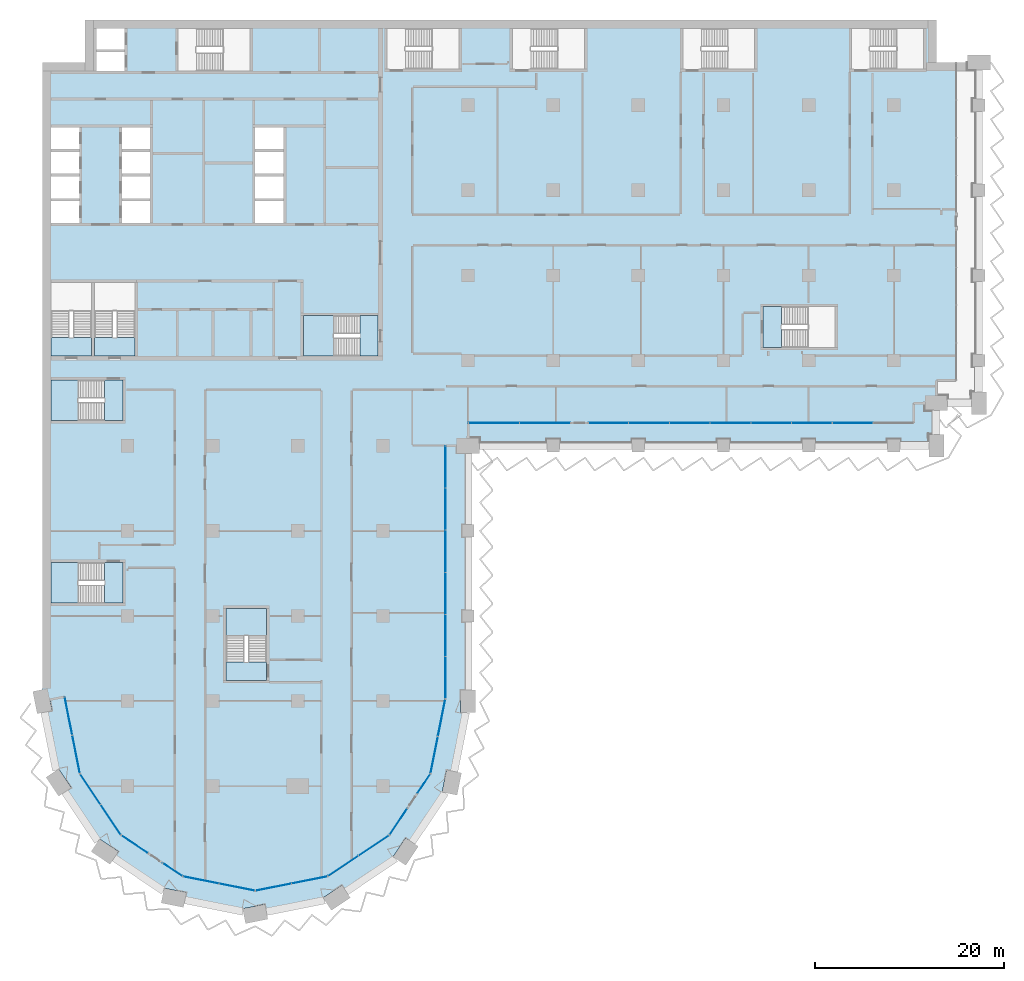
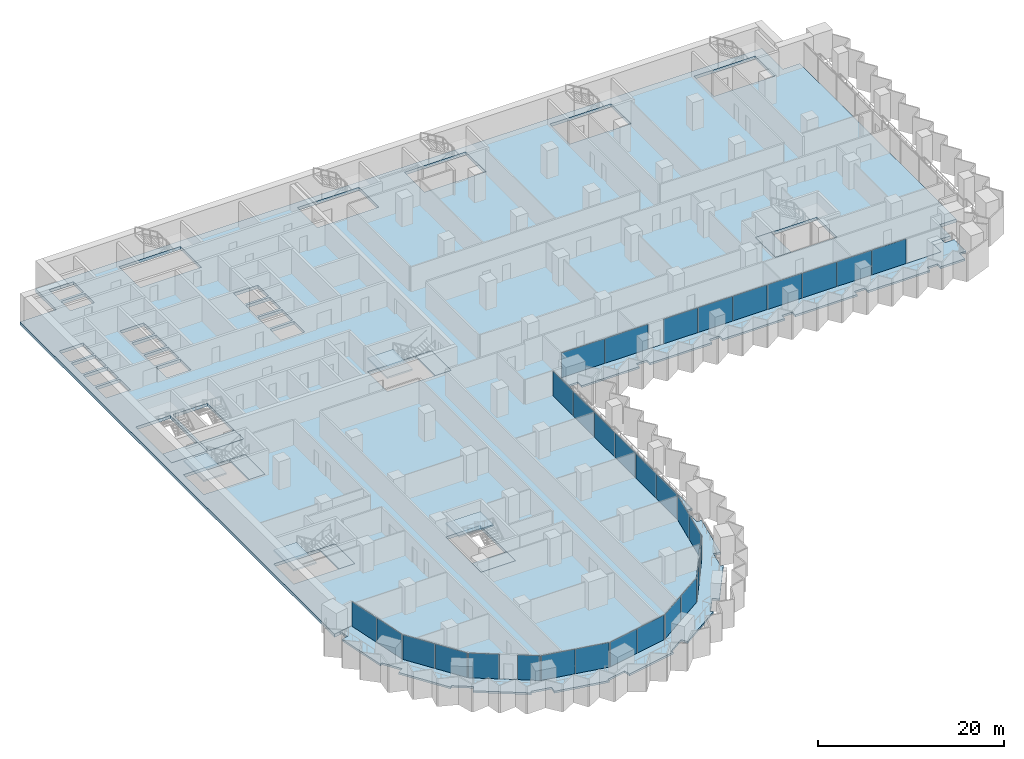
# One storey, part 8 of 29: 31 plates, 14 slabs, 17 elements without a shape of their own.
"""IFC4 building model written with IfcOpenShell, lengths in metres."""

import ifcopenshell
import ifcopenshell.guid

model = None  # the IFC model being written
_history = None  # IfcOwnerHistory: only IFC2X3 demands one
_inside = {}  # id of a spatial element -> (the spatial element, [elements in it])
_under = {}  # id of a project, library or spatial element -> (it, [spatial elements below it])
_declared = {}  # id of a project -> (the project, [libraries it declares])
_typed = {}  # id of a type object -> (the type object, [elements of that type])
_made_of = {}  # id of a material, layer set ... -> (it, [elements and type objects made of it])


def new_model(schema):
    """Start an empty IFC model of exactly this schema.

    Asked for "IFC4X3", IfcOpenShell would pick the latest addendum, in which some entities
    have other attributes; the version numbers below select the first issue.
    IFC2X3 requires an IfcOwnerHistory on every rooted entity: one is made here for all.
    """
    global model, _history
    if schema == "IFC4X3":
        model = ifcopenshell.file(schema_version=(4, 3, 0, 0))
    else:
        model = ifcopenshell.file(schema=schema)
    _inside.clear()
    _under.clear()
    _declared.clear()
    _typed.clear()
    _made_of.clear()
    _history = None
    if model.schema == "IFC2X3":
        org = make("IfcOrganization", Name="unknown")
        user = make(
            "IfcPersonAndOrganization",
            ThePerson=make("IfcPerson", FamilyName="unknown"),
            TheOrganization=org,
        )
        app = make(
            "IfcApplication",
            ApplicationDeveloper=org,
            Version="unknown",
            ApplicationFullName="unknown",
            ApplicationIdentifier="unknown",
        )
        _history = make(
            "IfcOwnerHistory",
            OwningUser=user,
            OwningApplication=app,
            ChangeAction="ADDED",
            CreationDate=0,
        )
    return model


def make(cls, **values):
    """One entity of the class cls with the attributes given. An attribute that is None is left unset."""
    return model.create_entity(
        cls, **{name: value for name, value in values.items() if value is not None}
    )


def rooted(cls, **values):
    """An entity with a GlobalId (a new one), such as an element, a storey or a relation."""
    return make(cls, GlobalId=ifcopenshell.guid.new(), OwnerHistory=_history, **values)


def si_unit(unit_type, name, prefix=None):
    """IfcSIUnit, for example si_unit("LENGTHUNIT", "METRE", prefix="MILLI")."""
    return make("IfcSIUnit", UnitType=unit_type, Prefix=prefix, Name=name)


def assignment(units):
    """IfcUnitAssignment: the units of a project."""
    return None if units is None else make("IfcUnitAssignment", Units=units)


def point(xyz):
    """IfcCartesianPoint."""
    return None if xyz is None else make("IfcCartesianPoint", Coordinates=xyz)


def direction(xyz):
    """IfcDirection."""
    return None if xyz is None else make("IfcDirection", DirectionRatios=xyz)


def frame(location, z_axis=None, x_axis=None):
    """IfcAxis2Placement3D, a coordinate frame: its origin and axes. An axis left out is left unset."""
    return make(
        "IfcAxis2Placement3D",
        Location=point(location),
        Axis=direction(z_axis),
        RefDirection=direction(x_axis),
    )


def frame_2d(location, x_axis=None):
    """IfcAxis2Placement2D, a coordinate frame in the plane: its origin and x axis."""
    return make(
        "IfcAxis2Placement2D", Location=point(location), RefDirection=direction(x_axis)
    )


def origin():
    """The frame at (0, 0, 0) with its axes left unset."""
    return frame((0.0, 0.0, 0.0))


def origin_2d():
    """The frame at (0, 0) in the plane with its x axis left unset."""
    return frame_2d((0.0, 0.0))


def place(relative_to, where):
    """IfcLocalPlacement: puts the frame where relative to a parent placement (None: the world)."""
    return make(
        "IfcLocalPlacement", PlacementRelTo=relative_to, RelativePlacement=where
    )


def context(
    kind, dimensions, precision=None, world=None, true_north=None, identifier=None
):
    """IfcGeometricRepresentationContext, for example the 3D "Model" context."""
    return make(
        "IfcGeometricRepresentationContext",
        ContextIdentifier=identifier,
        ContextType=kind,
        CoordinateSpaceDimension=dimensions,
        Precision=precision,
        WorldCoordinateSystem=world,
        TrueNorth=true_north,
    )


def subcontext(parent, identifier, kind, view, scale=None):
    """IfcGeometricRepresentationSubContext, for example "Body" below "Model"."""
    return make(
        "IfcGeometricRepresentationSubContext",
        ContextIdentifier=identifier,
        ContextType=kind,
        ParentContext=parent,
        TargetScale=scale,
        TargetView=view,
    )


def project(units=None, contexts=None):
    """IfcProject with its units and contexts."""
    return rooted(
        "IfcProject",
        Name="project",
        RepresentationContexts=contexts,
        UnitsInContext=assignment(units),
    )


def spatial(cls, under=None, at=None, **own):
    """A site, building, storey or space (cls), placed at a placement, below another one or the project."""
    s = rooted(cls, ObjectPlacement=at, **own)
    if under is not None:
        _under.setdefault(under.id(), (under, []))[1].append(s)
    return s


def polyline(points):
    """IfcPolyline through the points."""
    return make("IfcPolyline", Points=[point(p) for p in points])


def profile(cls, at=None, kind="AREA", **sizes):
    """A parametric profile (cls). Its sizes go by their IFC names, for example OverallWidth=200.0."""
    return make(cls, ProfileType=kind, Position=at, **sizes)


def rectangle(**sizes):
    """IfcRectangleProfileDef."""
    return profile("IfcRectangleProfileDef", **sizes)


def outline(outer, holes=None, kind="AREA"):
    """IfcArbitraryClosedProfileDef: a profile drawn as a closed curve; with holes, ...WithVoids."""
    if holes is None:
        return make("IfcArbitraryClosedProfileDef", ProfileType=kind, OuterCurve=outer)
    return make(
        "IfcArbitraryProfileDefWithVoids",
        ProfileType=kind,
        OuterCurve=outer,
        InnerCurves=holes,
    )


def extrude(swept, where, along, depth):
    """IfcExtrudedAreaSolid: the profile swept, set in the frame where, extruded along a direction by depth."""
    return make(
        "IfcExtrudedAreaSolid",
        SweptArea=swept,
        Position=where,
        ExtrudedDirection=direction(along),
        Depth=depth,
    )


def shape(context_of_items, identifier, shape_type, items):
    """IfcShapeRepresentation: the items that make up one representation, for example the "Body"."""
    return make(
        "IfcShapeRepresentation",
        ContextOfItems=context_of_items,
        RepresentationIdentifier=identifier,
        RepresentationType=shape_type,
        Items=items,
    )


def material(Name=None, Category=None):
    """IfcMaterial."""
    return make("IfcMaterial", Name=Name, Category=Category)


def layer(
    of_material, thickness, ventilated=None, Name=None, Category=None, Priority=None
):
    """IfcMaterialLayer: one layer of a wall or slab, of a material (None: an air gap)."""
    return make(
        "IfcMaterialLayer",
        Material=of_material,
        LayerThickness=thickness,
        IsVentilated=ventilated,
        Name=Name,
        Category=Category,
        Priority=Priority,
    )


def layer_set(layers, Name=None):
    """IfcMaterialLayerSet."""
    return make("IfcMaterialLayerSet", MaterialLayers=layers, LayerSetName=Name)


def made_of(thing, what):
    """Note that an element or type object is made of a material, layer set ...; save() writes the relation."""
    if what is not None:
        _made_of.setdefault(what.id(), (what, []))[1].append(thing)
    return thing


def type_object(cls, material=None, **own):
    """A type object (cls), such as IfcWallType, which elements share."""
    return made_of(rooted(cls, **own), material)


def element(
    cls,
    number,
    at=None,
    inside=None,
    cuts=None,
    type_object=None,
    material=None,
    context=None,
    identifier="Body",
    shape_type=None,
    held_by="IfcProductDefinitionShape",
    body=None,
    shapes=None,
    **own,
):
    """One element of the class cls, such as IfcWall. Its Tag is "e" and its number.

    at: its placement. inside: the storey or other place that contains it. cuts: it is an
    opening in that element (IfcRelVoidsElement). A single representation is given by context,
    identifier, shape_type and body (its items); several are given by shapes. held_by: the class
    of the entity that holds the representations. save() writes the other relations.
    """
    e = rooted(cls, Tag="e%d" % number, ObjectPlacement=at, **own)
    if body is not None:
        shapes = [shape(context, identifier, shape_type, body)]
    if shapes is not None:
        e.Representation = make(held_by, Representations=shapes)
    if inside is not None:
        _inside.setdefault(inside.id(), (inside, []))[1].append(e)
    if cuts is not None:
        rooted(
            "IfcRelVoidsElement", RelatingBuildingElement=cuts, RelatedOpeningElement=e
        )
    if type_object is not None:
        _typed.setdefault(type_object.id(), (type_object, []))[1].append(e)
    return made_of(e, material)


def aggregate(whole, parts):
    """IfcRelAggregates: a whole, such as a stair, and the parts it consists of."""
    return rooted("IfcRelAggregates", RelatingObject=whole, RelatedObjects=parts)


def save(model, path):
    """Write the relations noted so far, then the file.

    IfcRelAggregates (storeys below a building ...), IfcRelContainedInSpatialStructure (elements
    in a storey), IfcRelDefinesByType, IfcRelAssociatesMaterial and IfcRelDeclares: one each for
    every whole, place, type object, material and project.
    """
    for whole, parts in _under.values():
        aggregate(whole, parts)
    for where, things in _inside.values():
        rooted(
            "IfcRelContainedInSpatialStructure",
            RelatedElements=things,
            RelatingStructure=where,
        )
    for kind, things in _typed.values():
        rooted("IfcRelDefinesByType", RelatedObjects=things, RelatingType=kind)
    for what, things in _made_of.values():
        rooted("IfcRelAssociatesMaterial", RelatedObjects=things, RelatingMaterial=what)
    for by, libraries in _declared.values():
        rooted("IfcRelDeclares", RelatingContext=by, RelatedDefinitions=libraries)
    model.write(path)


model = new_model("IFC4")

# Units and contexts
model_context = context("Model", 3, precision=1e-05, world=origin(), true_north=direction((0.0, 1.0)))
body_context = subcontext(model_context, "Body", "Model", "MODEL_VIEW")
ifc_project = project(units=[si_unit("LENGTHUNIT", "METRE"), si_unit("AREAUNIT", "SQUARE_METRE"), si_unit("VOLUMEUNIT", "CUBIC_METRE"), si_unit("PLANEANGLEUNIT", "RADIAN"), si_unit("MASSUNIT", "GRAM", prefix="KILO")], contexts=[model_context])

# Site, building, storey
site_placement = place(None, origin())
site = spatial("IfcSite", under=ifc_project, at=site_placement, CompositionType="ELEMENT")
building_placement = place(site_placement, origin())
building = spatial("IfcBuilding", under=site, at=building_placement, Name="Hunhe Ridgeline Campus", CompositionType="ELEMENT")
storey_placement = place(building_placement, frame((0.0, 0.0, 69.10009765625)))
storey = spatial("IfcBuildingStorey", under=building, at=storey_placement, Name="L16", CompositionType="ELEMENT", Elevation=69.10009765625)

# Curtain wall, plates
ifc_material_1 = material(Name="Aluminium 6063", Category="aluminium")
curtain_wall_type_1 = type_object("IfcCurtainWallType", Name="Curtain wall CW-5", PredefinedType="NOTDEFINED", material=ifc_material_1)
curtain_wall_1_placement = place(storey_placement, origin())
curtain_wall_1 = element("IfcCurtainWall", 1, at=curtain_wall_1_placement, inside=storey, type_object=curtain_wall_type_1, Name="Curtain wall 01", PredefinedType="NOTDEFINED")
ifc_material_2 = material(Name="Low-e laminated glass", Category="glass")
ifc_layer_1 = layer(ifc_material_2, 0.028076171875)
ifc_layer_set_1 = layer_set([ifc_layer_1], Name="Curtain wall glass panel 28 low-e laminated")
plate_type = type_object("IfcPlateType", Name="Curtain wall glass panel 28 low-e laminated", PredefinedType="CURTAIN_PANEL", material=ifc_layer_set_1)
plate_1_placement = place(storey_placement, frame((2.76318359375, 25.416015625, 0.0), z_axis=(0.0, 0.0, 1.0), x_axis=(0.195095347137, -0.980784280831, 0.0)))
plate_1 = element("IfcPlate", 2, at=plate_1_placement, type_object=plate_type, Name="CW-5 panel 1", PredefinedType="CURTAIN_PANEL", context=body_context, shape_type="SweptSolid", body=[
    extrude(rectangle(XDim=4.0458984375, YDim=0.028076171875, at=origin_2d()), origin(), (0.0, 0.0, 1.0), 3.22998046875),
])
plate_2_placement = place(storey_placement, frame((3.566162109375, 21.379150390625, 0.0), z_axis=(0.0, 0.0, 1.0), x_axis=(0.195095347137, -0.980784280831, 0.0)))
plate_2 = element("IfcPlate", 3, at=plate_2_placement, type_object=plate_type, Name="CW-5 panel 2", PredefinedType="CURTAIN_PANEL", context=body_context, shape_type="SweptSolid", body=[
    extrude(rectangle(XDim=4.0458984375, YDim=0.028076171875, at=origin_2d()), origin(), (0.0, 0.0, 1.0), 3.22998046875),
])
aggregate(curtain_wall_1, [plate_1, plate_2])

curtain_wall_2_placement = place(storey_placement, origin())
curtain_wall_2 = element("IfcCurtainWall", 4, at=curtain_wall_2_placement, inside=storey, type_object=curtain_wall_type_1, Name="Curtain wall 02", PredefinedType="NOTDEFINED")
plate_3_placement = place(storey_placement, frame((5.07080078125, 17.685546875, 0.0), z_axis=(0.0, 0.0, 1.0), x_axis=(0.555570274596, -0.831469584522, 0.0)))
plate_3 = element("IfcPlate", 5, at=plate_3_placement, type_object=plate_type, Name="CW-5 panel 1", PredefinedType="CURTAIN_PANEL", context=body_context, shape_type="SweptSolid", body=[
    extrude(rectangle(XDim=3.806884765625, YDim=0.028076171875, at=origin_2d()), origin(), (0.0, 0.0, 1.0), 3.22998046875),
])
plate_4_placement = place(storey_placement, frame((7.224609375, 14.4619140625, 0.0), z_axis=(0.0, 0.0, 1.0), x_axis=(0.555570274596, -0.831469584522, 0.0)))
plate_4 = element("IfcPlate", 6, at=plate_4_placement, type_object=plate_type, Name="CW-5 panel 2", PredefinedType="CURTAIN_PANEL", context=body_context, shape_type="SweptSolid", body=[
    extrude(rectangle(XDim=3.806884765625, YDim=0.028076171875, at=origin_2d()), origin(), (0.0, 0.0, 1.0), 3.22998046875),
])
aggregate(curtain_wall_2, [plate_3, plate_4])

# Curtain wall, plate
curtain_wall_3_placement = place(storey_placement, origin())
curtain_wall_3 = element("IfcCurtainWall", 7, at=curtain_wall_3_placement, inside=storey, type_object=curtain_wall_type_1, Name="Curtain wall 03", PredefinedType="NOTDEFINED")
plate_5_placement = place(storey_placement, frame((9.76025390625, 11.859375, 0.0), z_axis=(0.0, 0.0, 1.0), x_axis=(0.831469595944, -0.555570257501, 0.0)))
plate_5 = element("IfcPlate", 8, at=plate_5_placement, type_object=plate_type, Name="CW-5 panel 1", PredefinedType="CURTAIN_PANEL", context=body_context, shape_type="SweptSolid", body=[
    extrude(rectangle(XDim=3.322021484375, YDim=0.028076171875, at=origin_2d()), origin(), (0.0, 0.0, 1.0), 3.22998046875),
])
aggregate(curtain_wall_3, [plate_5])

curtain_wall_4_placement = place(storey_placement, origin())
curtain_wall_4 = element("IfcCurtainWall", 9, at=curtain_wall_4_placement, inside=storey, type_object=curtain_wall_type_1, Name="Curtain wall 04", PredefinedType="NOTDEFINED")
plate_6_placement = place(storey_placement, frame((13.761474609375, 9.18603515625, 0.0), z_axis=(0.0, 0.0, 1.0), x_axis=(0.831469510353, -0.555570385598, 0.0)))
plate_6 = element("IfcPlate", 10, at=plate_6_placement, type_object=plate_type, Name="CW-5 panel 1", PredefinedType="CURTAIN_PANEL", context=body_context, shape_type="SweptSolid", body=[
    extrude(rectangle(XDim=2.421875, YDim=0.028076171875, at=origin_2d()), origin(), (0.0, 0.0, 1.0), 3.22998046875),
])
aggregate(curtain_wall_4, [plate_6])

# Curtain wall, plates
curtain_wall_5_placement = place(storey_placement, origin())
curtain_wall_5 = element("IfcCurtainWall", 11, at=curtain_wall_5_placement, inside=storey, type_object=curtain_wall_type_1, Name="Curtain wall 05", PredefinedType="NOTDEFINED")
plate_7_placement = place(storey_placement, frame((16.761962890625, 8.08935546875, 0.0), z_axis=(0.0, 0.0, 1.0), x_axis=(0.980785275326, -0.195090347539, 0.0)))
plate_7 = element("IfcPlate", 12, at=plate_7_placement, type_object=plate_type, Name="CW-5 panel 1", PredefinedType="CURTAIN_PANEL", context=body_context, shape_type="SweptSolid", body=[
    extrude(rectangle(XDim=3.806884765625, YDim=0.028076171875, at=origin_2d()), origin(), (0.0, 0.0, 1.0), 3.22998046875),
])
plate_8_placement = place(storey_placement, frame((20.564453125, 7.3330078125, 0.0), z_axis=(0.0, 0.0, 1.0), x_axis=(0.980785275326, -0.195090347539, 0.0)))
plate_8 = element("IfcPlate", 13, at=plate_8_placement, type_object=plate_type, Name="CW-5 panel 2", PredefinedType="CURTAIN_PANEL", context=body_context, shape_type="SweptSolid", body=[
    extrude(rectangle(XDim=3.806884765625, YDim=0.028076171875, at=origin_2d()), origin(), (0.0, 0.0, 1.0), 3.22998046875),
])
aggregate(curtain_wall_5, [plate_7, plate_8])

curtain_wall_6_placement = place(storey_placement, origin())
curtain_wall_6 = element("IfcCurtainWall", 14, at=curtain_wall_6_placement, inside=storey, type_object=curtain_wall_type_1, Name="Curtain wall 06", PredefinedType="NOTDEFINED")
plate_9_placement = place(storey_placement, frame((24.435546875, 7.3330078125, 0.0), z_axis=(0.0, 0.0, 1.0), x_axis=(0.980785275326, 0.195090347539, 0.0)))
plate_9 = element("IfcPlate", 15, at=plate_9_placement, type_object=plate_type, Name="CW-5 panel 1", PredefinedType="CURTAIN_PANEL", context=body_context, shape_type="SweptSolid", body=[
    extrude(rectangle(XDim=3.806884765625, YDim=0.028076171875, at=origin_2d()), origin(), (0.0, 0.0, 1.0), 3.22998046875),
])
plate_10_placement = place(storey_placement, frame((28.238037109375, 8.08935546875, 0.0), z_axis=(0.0, 0.0, 1.0), x_axis=(0.980785275326, 0.195090347539, 0.0)))
plate_10 = element("IfcPlate", 16, at=plate_10_placement, type_object=plate_type, Name="CW-5 panel 2", PredefinedType="CURTAIN_PANEL", context=body_context, shape_type="SweptSolid", body=[
    extrude(rectangle(XDim=3.806884765625, YDim=0.028076171875, at=origin_2d()), origin(), (0.0, 0.0, 1.0), 3.22998046875),
])
aggregate(curtain_wall_6, [plate_9, plate_10])

curtain_wall_7_placement = place(storey_placement, origin())
curtain_wall_7 = element("IfcCurtainWall", 17, at=curtain_wall_7_placement, inside=storey, type_object=curtain_wall_type_1, Name="Curtain wall 07", PredefinedType="NOTDEFINED")
plate_11_placement = place(storey_placement, frame((31.814453125, 9.57080078125, 0.0), z_axis=(0.0, 0.0, 1.0), x_axis=(0.831469584522, 0.555570274596, 0.0)))
plate_11 = element("IfcPlate", 18, at=plate_11_placement, type_object=plate_type, Name="CW-5 panel 1", PredefinedType="CURTAIN_PANEL", context=body_context, shape_type="SweptSolid", body=[
    extrude(rectangle(XDim=3.806884765625, YDim=0.028076171875, at=origin_2d()), origin(), (0.0, 0.0, 1.0), 3.22998046875),
])
plate_12_placement = place(storey_placement, frame((35.0380859375, 11.724609375, 0.0), z_axis=(0.0, 0.0, 1.0), x_axis=(0.831469584522, 0.555570274596, 0.0)))
plate_12 = element("IfcPlate", 19, at=plate_12_placement, type_object=plate_type, Name="CW-5 panel 2", PredefinedType="CURTAIN_PANEL", context=body_context, shape_type="SweptSolid", body=[
    extrude(rectangle(XDim=3.806884765625, YDim=0.028076171875, at=origin_2d()), origin(), (0.0, 0.0, 1.0), 3.22998046875),
])
aggregate(curtain_wall_7, [plate_11, plate_12])

# Curtain wall, plate
curtain_wall_8_placement = place(storey_placement, origin())
curtain_wall_8 = element("IfcCurtainWall", 20, at=curtain_wall_8_placement, inside=storey, type_object=curtain_wall_type_1, Name="Curtain wall 08", PredefinedType="NOTDEFINED")
plate_13_placement = place(storey_placement, frame((37.640625, 14.26025390625, 0.0), z_axis=(0.0, 0.0, 1.0), x_axis=(0.555570257501, 0.831469595944, 0.0)))
plate_13 = element("IfcPlate", 21, at=plate_13_placement, type_object=plate_type, Name="CW-5 panel 1", PredefinedType="CURTAIN_PANEL", context=body_context, shape_type="SweptSolid", body=[
    extrude(rectangle(XDim=3.322021484375, YDim=0.028076171875, at=origin_2d()), origin(), (0.0, 0.0, 1.0), 3.22998046875),
])
aggregate(curtain_wall_8, [plate_13])

curtain_wall_9_placement = place(storey_placement, origin())
curtain_wall_9 = element("IfcCurtainWall", 22, at=curtain_wall_9_placement, inside=storey, type_object=curtain_wall_type_1, Name="Curtain wall 09", PredefinedType="NOTDEFINED")
plate_14_placement = place(storey_placement, frame((40.31396484375, 18.261474609375, 0.0), z_axis=(0.0, 0.0, 1.0), x_axis=(0.555570385598, 0.831469510353, 0.0)))
plate_14 = element("IfcPlate", 23, at=plate_14_placement, type_object=plate_type, Name="CW-5 panel 1", PredefinedType="CURTAIN_PANEL", context=body_context, shape_type="SweptSolid", body=[
    extrude(rectangle(XDim=2.421875, YDim=0.028076171875, at=origin_2d()), origin(), (0.0, 0.0, 1.0), 3.22998046875),
])
aggregate(curtain_wall_9, [plate_14])

# Curtain wall, plates
curtain_wall_10_placement = place(storey_placement, origin())
curtain_wall_10 = element("IfcCurtainWall", 24, at=curtain_wall_10_placement, inside=storey, type_object=curtain_wall_type_1, Name="Curtain wall 10", PredefinedType="NOTDEFINED")
plate_15_placement = place(storey_placement, frame((41.42236328125, 21.321044921875, 0.0), z_axis=(0.0, 0.0, 1.0), x_axis=(0.195090299215, 0.980785284939, 0.0)))
plate_15 = element("IfcPlate", 25, at=plate_15_placement, type_object=plate_type, Name="CW-5 panel 1", PredefinedType="CURTAIN_PANEL", context=body_context, shape_type="SweptSolid", body=[
    extrude(rectangle(XDim=3.927490234375, YDim=0.028076171875, at=origin_2d()), origin(), (0.0, 0.0, 1.0), 3.22998046875),
])
plate_16_placement = place(storey_placement, frame((42.2021484375, 25.24169921875, 0.0), z_axis=(0.0, 0.0, 1.0), x_axis=(0.195090299215, 0.980785284939, 0.0)))
plate_16 = element("IfcPlate", 26, at=plate_16_placement, type_object=plate_type, Name="CW-5 panel 2", PredefinedType="CURTAIN_PANEL", context=body_context, shape_type="SweptSolid", body=[
    extrude(rectangle(XDim=3.927490234375, YDim=0.028076171875, at=origin_2d()), origin(), (0.0, 0.0, 1.0), 3.22998046875),
])
aggregate(curtain_wall_10, [plate_15, plate_16])

curtain_wall_type_2 = type_object("IfcCurtainWallType", Name="Curtain wall CW-1", PredefinedType="NOTDEFINED", material=ifc_material_1)
curtain_wall_11_placement = place(storey_placement, origin())
curtain_wall_11 = element("IfcCurtainWall", 27, at=curtain_wall_11_placement, inside=storey, type_object=curtain_wall_type_2, Name="Curtain wall 11", PredefinedType="NOTDEFINED")
plate_17_placement = place(storey_placement, frame((42.59912109375, 29.481689453125, 0.0), z_axis=(0.0, 0.0, 1.0), x_axis=(1.8682e-07, 1.0, 0.0)))
plate_17 = element("IfcPlate", 28, at=plate_17_placement, type_object=plate_type, Name="CW-1 panel 1", PredefinedType="CURTAIN_PANEL", context=body_context, shape_type="SweptSolid", body=[
    extrude(rectangle(XDim=4.37060546875, YDim=0.028076171875, at=origin_2d()), origin(), (0.0, 0.0, 1.0), 3.239990234375),
])
plate_18_placement = place(storey_placement, frame((42.59912109375, 33.927490234375, 0.0), z_axis=(0.0, 0.0, 1.0), x_axis=(1.8682e-07, 1.0, 0.0)))
plate_18 = element("IfcPlate", 29, at=plate_18_placement, type_object=plate_type, Name="CW-1 panel 2", PredefinedType="CURTAIN_PANEL", context=body_context, shape_type="SweptSolid", body=[
    extrude(rectangle(XDim=4.400634765625, YDim=0.028076171875, at=origin_2d()), origin(), (0.0, 0.0, 1.0), 3.239990234375),
])
plate_19_placement = place(storey_placement, frame((42.59912109375, 38.387939453125, 0.0), z_axis=(0.0, 0.0, 1.0), x_axis=(1.8682e-07, 1.0, 0.0)))
plate_19 = element("IfcPlate", 30, at=plate_19_placement, type_object=plate_type, Name="CW-1 panel 3", PredefinedType="CURTAIN_PANEL", context=body_context, shape_type="SweptSolid", body=[
    extrude(rectangle(XDim=4.400634765625, YDim=0.028076171875, at=origin_2d()), origin(), (0.0, 0.0, 1.0), 3.239990234375),
])
plate_20_placement = place(storey_placement, frame((42.59912109375, 42.8486328125, 0.0), z_axis=(0.0, 0.0, 1.0), x_axis=(1.8682e-07, 1.0, 0.0)))
plate_20 = element("IfcPlate", 31, at=plate_20_placement, type_object=plate_type, Name="CW-1 panel 4", PredefinedType="CURTAIN_PANEL", context=body_context, shape_type="SweptSolid", body=[
    extrude(rectangle(XDim=4.400634765625, YDim=0.028076171875, at=origin_2d()), origin(), (0.0, 0.0, 1.0), 3.239990234375),
])
plate_21_placement = place(storey_placement, frame((42.59912109375, 47.30908203125, 0.0), z_axis=(0.0, 0.0, 1.0), x_axis=(1.8682e-07, 1.0, 0.0)))
plate_21 = element("IfcPlate", 32, at=plate_21_placement, type_object=plate_type, Name="CW-1 panel 5", PredefinedType="CURTAIN_PANEL", context=body_context, shape_type="SweptSolid", body=[
    extrude(rectangle(XDim=4.400634765625, YDim=0.028076171875, at=origin_2d()), origin(), (0.0, 0.0, 1.0), 3.239990234375),
])
plate_22_placement = place(storey_placement, frame((42.59912109375, 51.7548828125, 0.0), z_axis=(0.0, 0.0, 1.0), x_axis=(1.8682e-07, 1.0, 0.0)))
plate_22 = element("IfcPlate", 33, at=plate_22_placement, type_object=plate_type, Name="CW-1 panel 6", PredefinedType="CURTAIN_PANEL", context=body_context, shape_type="SweptSolid", body=[
    extrude(rectangle(XDim=4.37060546875, YDim=0.028076171875, at=origin_2d()), origin(), (0.0, 0.0, 1.0), 3.239990234375),
])
aggregate(curtain_wall_11, [plate_17, plate_18, plate_19, plate_20, plate_21, plate_22])

curtain_wall_12_placement = place(storey_placement, origin())
curtain_wall_12 = element("IfcCurtainWall", 34, at=curtain_wall_12_placement, inside=storey, type_object=curtain_wall_type_2, Name="Curtain wall 12", PredefinedType="NOTDEFINED")
plate_23_placement = place(storey_placement, frame((47.733154296875, 56.40087890625, 0.0), z_axis=(0.0, 0.0, 1.0), x_axis=(0.999999999994, 3.58625e-06, 0.0)))
plate_23 = element("IfcPlate", 35, at=plate_23_placement, type_object=plate_type, Name="CW-1 panel 1", PredefinedType="CURTAIN_PANEL", context=body_context, shape_type="SweptSolid", body=[
    extrude(rectangle(XDim=5.347412109375, YDim=0.028076171875, at=origin_2d()), origin(), (0.0, 0.0, 1.0), 3.239990234375),
])
plate_24_placement = place(storey_placement, frame((53.140625, 56.40087890625, 0.0), z_axis=(0.0, 0.0, 1.0), x_axis=(0.999999999994, 3.58625e-06, 0.0)))
plate_24 = element("IfcPlate", 36, at=plate_24_placement, type_object=plate_type, Name="CW-1 panel 2", PredefinedType="CURTAIN_PANEL", context=body_context, shape_type="SweptSolid", body=[
    extrude(rectangle(XDim=5.347412109375, YDim=0.028076171875, at=origin_2d()), origin(), (0.0, 0.0, 1.0), 3.239990234375),
])
aggregate(curtain_wall_12, [plate_23, plate_24])

curtain_wall_13_placement = place(storey_placement, origin())
curtain_wall_13 = element("IfcCurtainWall", 37, at=curtain_wall_13_placement, inside=storey, type_object=curtain_wall_type_2, Name="Curtain wall 13", PredefinedType="NOTDEFINED")
plate_25_placement = place(storey_placement, frame((59.8408203125, 56.40087890625, 0.0), z_axis=(0.0, 0.0, 1.0), x_axis=(0.999999999994, 3.602063e-06, 0.0)))
plate_25 = element("IfcPlate", 38, at=plate_25_placement, type_object=plate_type, Name="CW-1 panel 1", PredefinedType="CURTAIN_PANEL", context=body_context, shape_type="SweptSolid", body=[
    extrude(rectangle(XDim=4.213134765625, YDim=0.028076171875, at=origin_2d()), origin(), (0.0, 0.0, 1.0), 3.239990234375),
])
plate_26_placement = place(storey_placement, frame((64.12890625, 56.40087890625, 0.0), z_axis=(0.0, 0.0, 1.0), x_axis=(0.999999999994, 3.602063e-06, 0.0)))
plate_26 = element("IfcPlate", 39, at=plate_26_placement, type_object=plate_type, Name="CW-1 panel 2", PredefinedType="CURTAIN_PANEL", context=body_context, shape_type="SweptSolid", body=[
    extrude(rectangle(XDim=4.2431640625, YDim=0.028076171875, at=origin_2d()), origin(), (0.0, 0.0, 1.0), 3.239990234375),
])
plate_27_placement = place(storey_placement, frame((68.43212890625, 56.40087890625, 0.0), z_axis=(0.0, 0.0, 1.0), x_axis=(0.999999999994, 3.602063e-06, 0.0)))
plate_27 = element("IfcPlate", 40, at=plate_27_placement, type_object=plate_type, Name="CW-1 panel 3", PredefinedType="CURTAIN_PANEL", context=body_context, shape_type="SweptSolid", body=[
    extrude(rectangle(XDim=4.2431640625, YDim=0.028076171875, at=origin_2d()), origin(), (0.0, 0.0, 1.0), 3.239990234375),
])
plate_28_placement = place(storey_placement, frame((72.735107421875, 56.40087890625, 0.0), z_axis=(0.0, 0.0, 1.0), x_axis=(0.999999999994, 3.602063e-06, 0.0)))
plate_28 = element("IfcPlate", 41, at=plate_28_placement, type_object=plate_type, Name="CW-1 panel 4", PredefinedType="CURTAIN_PANEL", context=body_context, shape_type="SweptSolid", body=[
    extrude(rectangle(XDim=4.2431640625, YDim=0.028076171875, at=origin_2d()), origin(), (0.0, 0.0, 1.0), 3.239990234375),
])
plate_29_placement = place(storey_placement, frame((77.038330078125, 56.40087890625, 0.0), z_axis=(0.0, 0.0, 1.0), x_axis=(0.999999999994, 3.602063e-06, 0.0)))
plate_29 = element("IfcPlate", 42, at=plate_29_placement, type_object=plate_type, Name="CW-1 panel 5", PredefinedType="CURTAIN_PANEL", context=body_context, shape_type="SweptSolid", body=[
    extrude(rectangle(XDim=4.2431640625, YDim=0.028076171875, at=origin_2d()), origin(), (0.0, 0.0, 1.0), 3.239990234375),
])
plate_30_placement = place(storey_placement, frame((81.34130859375, 56.40087890625, 0.0), z_axis=(0.0, 0.0, 1.0), x_axis=(0.999999999994, 3.602063e-06, 0.0)))
plate_30 = element("IfcPlate", 43, at=plate_30_placement, type_object=plate_type, Name="CW-1 panel 6", PredefinedType="CURTAIN_PANEL", context=body_context, shape_type="SweptSolid", body=[
    extrude(rectangle(XDim=4.2431640625, YDim=0.028076171875, at=origin_2d()), origin(), (0.0, 0.0, 1.0), 3.239990234375),
])
plate_31_placement = place(storey_placement, frame((85.644287109375, 56.40087890625, 0.0), z_axis=(0.0, 0.0, 1.0), x_axis=(0.999999999994, 3.602063e-06, 0.0)))
plate_31 = element("IfcPlate", 44, at=plate_31_placement, type_object=plate_type, Name="CW-1 panel 7", PredefinedType="CURTAIN_PANEL", context=body_context, shape_type="SweptSolid", body=[
    extrude(rectangle(XDim=4.2431640625, YDim=0.028076171875, at=origin_2d()), origin(), (0.0, 0.0, 1.0), 3.239990234375),
])
aggregate(curtain_wall_13, [plate_25, plate_26, plate_27, plate_28, plate_29, plate_30, plate_31])

# Slabs
ifc_material_3 = material(Name="Concrete C40", Category="concrete")
ifc_layer_2 = layer(ifc_material_3, 0.39990234375)
ifc_layer_set_2 = layer_set([ifc_layer_2], Name="Floor slab 400 Concrete C40")
slab_type_1 = type_object("IfcSlabType", Name="Floor slab 400 Concrete C40", PredefinedType="FLOOR", material=ifc_layer_set_2)
slab_1_placement = place(storey_placement, frame((0.0, 0.0, -0.400146484375)))
element("IfcSlab", 45, at=slab_1_placement, inside=storey, type_object=slab_type_1, Name="Floor slab L16 1", PredefinedType="FLOOR", context=body_context, shape_type="SweptSolid", body=[
    extrude(outline(polyline([(4.5, 94.5), (0.0, 94.5), (0.0, 27.0009765625), (2.354736328125, 27.46875), (3.974365234375, 19.326416015625), (8.321044921875, 12.821044921875), (14.826416015625, 8.474365234375), (22.5, 6.947998046875), (30.173583984375, 8.474365234375), (36.678955078125, 12.821044921875), (41.025634765625, 19.326416015625), (42.59912109375, 27.236572265625), (42.59912109375, 54.0), (44.9990234375, 54.0009765625), (44.99951171875, 56.40087890625), (92.09912109375, 56.40087890625), (92.099365234375, 58.500732421875), (94.4990234375, 58.5009765625), (94.499267578125, 60.900634765625), (96.59912109375, 60.90087890625), (96.59912109375, 94.5), (94.5, 94.5), (94.5, 99.0), (4.5, 99.0), (4.5, 94.5)]), holes=[polyline([(93.14990234375, 93.800048828125), (93.14990234375, 98.10009765625), (85.550048828125, 98.10009765625), (85.550048828125, 93.800048828125), (93.14990234375, 93.800048828125)]), polyline([(76.199951171875, 68.699951171875), (76.199951171875, 64.39990234375), (83.800048828125, 64.39990234375), (83.800048828125, 68.699951171875), (76.199951171875, 68.699951171875)]), polyline([(75.300048828125, 98.10009765625), (67.699951171875, 98.10009765625), (67.699951171875, 93.800048828125), (75.300048828125, 93.800048828125), (75.300048828125, 98.10009765625)]), polyline([(49.699951171875, 98.10009765625), (49.699951171875, 93.800048828125), (57.300048828125, 93.800048828125), (57.300048828125, 98.10009765625), (49.699951171875, 98.10009765625)]), polyline([(36.449951171875, 93.800048828125), (44.050048828125, 93.800048828125), (44.050048828125, 98.10009765625), (36.449951171875, 98.10009765625), (36.449951171875, 93.800048828125)]), polyline([(35.5, 63.5), (35.5, 67.75), (27.60009765625, 67.75), (27.60009765625, 63.5), (35.5, 63.5)]), polyline([(25.5, 80.14990234375), (25.5, 82.449951171875), (22.5, 82.449951171875), (22.5, 80.14990234375), (25.5, 80.14990234375)]), polyline([(25.5, 79.85009765625), (22.5, 79.85009765625), (22.5, 77.550048828125), (25.5, 77.550048828125), (25.5, 79.85009765625)]), polyline([(22.5, 87.64990234375), (22.5, 85.35009765625), (25.5, 85.35009765625), (25.5, 87.64990234375), (22.5, 87.64990234375)]), polyline([(22.5, 82.75), (25.5, 82.75), (25.5, 85.050048828125), (22.5, 85.050048828125), (22.5, 82.75)]), polyline([(23.699951171875, 29.199951171875), (23.699951171875, 36.800048828125), (19.39990234375, 36.800048828125), (19.39990234375, 29.199951171875), (23.699951171875, 29.199951171875)]), polyline([(14.35009765625, 93.60009765625), (21.949951171875, 93.60009765625), (21.949951171875, 98.10009765625), (14.35009765625, 98.10009765625), (14.35009765625, 93.60009765625)]), polyline([(11.39990234375, 79.85009765625), (8.39990234375, 79.85009765625), (8.39990234375, 77.550048828125), (11.39990234375, 77.550048828125), (11.39990234375, 79.85009765625)]), polyline([(11.39990234375, 80.14990234375), (11.39990234375, 82.449951171875), (8.39990234375, 82.449951171875), (8.39990234375, 80.14990234375), (11.39990234375, 80.14990234375)]), polyline([(8.39990234375, 87.64990234375), (8.39990234375, 85.35009765625), (11.39990234375, 85.35009765625), (11.39990234375, 87.64990234375), (8.39990234375, 87.64990234375)]), polyline([(8.39990234375, 82.75), (11.39990234375, 82.75), (11.39990234375, 85.050048828125), (8.39990234375, 85.050048828125), (8.39990234375, 82.75)]), polyline([(9.800048828125, 71.25), (5.5, 71.25), (5.5, 63.5), (9.800048828125, 63.5), (9.800048828125, 71.25)]), polyline([(8.699951171875, 95.89990234375), (8.699951171875, 98.10009765625), (5.699951171875, 98.10009765625), (5.699951171875, 95.89990234375), (8.699951171875, 95.89990234375)]), polyline([(8.699951171875, 95.60009765625), (5.699951171875, 95.60009765625), (5.699951171875, 93.60009765625), (8.699951171875, 93.60009765625), (8.699951171875, 95.60009765625)]), polyline([(0.89990234375, 37.35009765625), (8.5, 37.35009765625), (8.5, 41.64990234375), (0.89990234375, 41.64990234375), (0.89990234375, 37.35009765625)]), polyline([(0.89990234375, 60.949951171875), (0.89990234375, 56.64990234375), (8.5, 56.64990234375), (8.5, 60.949951171875), (0.89990234375, 60.949951171875)]), polyline([(0.89990234375, 71.25), (0.89990234375, 63.5), (5.199951171875, 63.5), (5.199951171875, 71.25), (0.89990234375, 71.25)]), polyline([(3.89990234375, 80.14990234375), (3.89990234375, 82.449951171875), (0.89990234375, 82.449951171875), (0.89990234375, 80.14990234375), (3.89990234375, 80.14990234375)]), polyline([(3.89990234375, 79.85009765625), (0.89990234375, 79.85009765625), (0.89990234375, 77.550048828125), (3.89990234375, 77.550048828125), (3.89990234375, 79.85009765625)]), polyline([(0.89990234375, 87.64990234375), (0.89990234375, 85.35009765625), (3.89990234375, 85.35009765625), (3.89990234375, 87.64990234375), (0.89990234375, 87.64990234375)]), polyline([(0.89990234375, 82.75), (3.89990234375, 82.75), (3.89990234375, 85.050048828125), (0.89990234375, 85.050048828125), (0.89990234375, 82.75)])]), origin(), (0.0, 0.0, 1.0), 0.400146484375),
])
ifc_layer_3 = layer(ifc_material_3, 0.25)
ifc_layer_set_3 = layer_set([ifc_layer_3], Name="Loggia slab 250 Concrete C40")
slab_type_2 = type_object("IfcSlabType", Name="Loggia slab 250 Concrete C40", PredefinedType="FLOOR", material=ifc_layer_set_3)
slab_2_placement = place(storey_placement, frame((0.0, 0.0, -0.25)))
element("IfcSlab", 46, at=slab_2_placement, inside=storey, type_object=slab_type_2, Name="Loggia slab 1", PredefinedType="FLOOR", context=body_context, shape_type="SweptSolid", body=[
    extrude(outline(polyline([(30.173828125, 8.473388671875), (22.5, 6.947021484375), (14.826171875, 8.473388671875), (8.3203125, 12.8203125), (3.973388671875, 19.326171875), (2.35400390625, 27.46826171875), (0.78466796875, 27.156005859375), (1.018798828125, 25.979248046875), (0.234130859375, 25.822998046875), (1.459228515625, 19.66357421875), (1.711181640625, 19.831787109375), (3.044677734375, 17.83642578125), (2.37939453125, 17.391845703125), (5.868408203125, 12.170166015625), (6.036865234375, 12.421875), (8.0322265625, 11.088623046875), (7.587890625, 10.42333984375), (12.8095703125, 6.934326171875), (12.86865234375, 7.2314453125), (15.22265625, 6.76318359375), (15.066650390625, 5.978515625), (21.22607421875, 4.75341796875), (21.1669921875, 5.050537109375), (23.520751953125, 5.518798828125), (23.677001953125, 4.734130859375), (29.83642578125, 5.959228515625), (29.668212890625, 6.211181640625), (31.66357421875, 7.544677734375), (32.108154296875, 6.87939453125), (37.329833984375, 10.368408203125), (37.078125, 10.536865234375), (38.411376953125, 12.5322265625), (39.07666015625, 12.087890625), (42.565673828125, 17.3095703125), (42.2685546875, 17.36865234375), (42.73681640625, 19.72265625), (43.521484375, 19.566650390625), (44.76123046875, 25.800048828125), (44.199951171875, 25.800048828125), (44.199951171875, 28.199951171875), (45.0, 28.199951171875), (45.0, 35.35009765625), (44.35009765625, 35.35009765625), (44.35009765625, 36.64990234375), (45.0, 36.64990234375), (45.0, 44.35009765625), (44.35009765625, 44.35009765625), (44.35009765625, 45.64990234375), (45.0, 45.64990234375), (45.0, 53.199951171875), (43.800048828125, 53.199951171875), (43.800048828125, 54.0), (42.60009765625, 54.0), (42.60009765625, 27.236328125), (41.026611328125, 19.326171875), (36.6796875, 12.8203125), (30.173828125, 8.473388671875)])), origin(), (0.0, 0.0, 1.0), 0.25),
])
slab_3_placement = place(storey_placement, frame((0.0, 0.0, -0.25)))
element("IfcSlab", 47, at=slab_3_placement, inside=storey, type_object=slab_type_2, Name="Loggia slab 2", PredefinedType="FLOOR", context=body_context, shape_type="SweptSolid", body=[
    extrude(outline(polyline([(45.0, 54.800048828125), (46.199951171875, 54.800048828125), (46.199951171875, 54.0), (53.35009765625, 54.0), (53.35009765625, 54.64990234375), (54.64990234375, 54.64990234375), (54.64990234375, 54.0), (62.35009765625, 54.0), (62.35009765625, 54.64990234375), (63.64990234375, 54.64990234375), (63.64990234375, 54.0), (71.35009765625, 54.0), (71.35009765625, 54.64990234375), (72.64990234375, 54.64990234375), (72.64990234375, 54.0), (80.35009765625, 54.0), (80.35009765625, 54.64990234375), (81.64990234375, 54.64990234375), (81.64990234375, 54.0), (89.35009765625, 54.0), (89.35009765625, 54.64990234375), (90.64990234375, 54.64990234375), (90.64990234375, 54.0), (93.699951171875, 54.0), (93.699951171875, 55.199951171875), (94.5, 55.199951171875), (94.5, 57.699951171875), (93.300048828125, 57.699951171875), (93.300048828125, 58.5), (92.10009765625, 58.5), (92.10009765625, 56.39990234375), (45.0, 56.39990234375), (45.0, 54.800048828125)])), origin(), (0.0, 0.0, 1.0), 0.25),
])

# Stair, slab
stair_type = type_object("IfcStairType", Name="Reinforced concrete dog-leg stair 1950 Concrete C40", PredefinedType="HALF_TURN_STAIR", material=ifc_material_3)
stair_1_placement = place(storey_placement, origin())
stair_1 = element("IfcStair", 48, at=stair_1_placement, inside=storey, type_object=stair_type, Name="L16 S2", PredefinedType="HALF_TURN_STAIR")
ifc_layer_4 = layer(ifc_material_3, 0.199951171875)
ifc_layer_set_4 = layer_set([ifc_layer_4], Name="Reinforced concrete stair landing 200 Concrete C40")
slab_type_3 = type_object("IfcSlabType", Name="Reinforced concrete stair landing 200 Concrete C40", PredefinedType="LANDING", material=ifc_layer_set_4)
slab_4_placement = place(storey_placement, frame((0.0, 0.0, 1.64990234375)))
slab_4 = element("IfcSlab", 49, at=slab_4_placement, type_object=slab_type_3, Name="ST2 landing 1", PredefinedType="LANDING", context=body_context, shape_type="SweptSolid", body=[
    extrude(outline(polyline([(30.75, 67.75), (27.60009765625, 67.75), (27.60009765625, 63.5), (30.75, 63.5), (30.75, 67.75)])), origin(), (0.0, 0.0, 1.0), 0.199951171875),
])
aggregate(stair_1, [slab_4])

# Slabs
slab_5_placement = place(storey_placement, frame((0.0, 0.0, -0.2001953125)))
element("IfcSlab", 50, at=slab_5_placement, inside=storey, type_object=slab_type_3, Name="L16 stair S2 floor landing", PredefinedType="LANDING", context=body_context, shape_type="SweptSolid", body=[
    extrude(outline(polyline([(35.5, 67.75), (33.550048828125, 67.75), (33.550048828125, 63.5), (35.5, 63.5), (35.5, 67.75)])), origin(), (0.0, 0.0, 1.0), 0.2001953125),
])
slab_6_placement = place(storey_placement, frame((0.0, 0.0, -0.2001953125)))
element("IfcSlab", 51, at=slab_6_placement, inside=storey, type_object=slab_type_3, Name="L16 stair S3 floor landing", PredefinedType="LANDING", context=body_context, shape_type="SweptSolid", body=[
    extrude(outline(polyline([(5.199951171875, 63.5), (5.199951171875, 65.449951171875), (0.89990234375, 65.449951171875), (0.89990234375, 63.5), (5.199951171875, 63.5)])), origin(), (0.0, 0.0, 1.0), 0.2001953125),
])
slab_7_placement = place(storey_placement, frame((0.0, 0.0, -0.2001953125)))
element("IfcSlab", 52, at=slab_7_placement, inside=storey, type_object=slab_type_3, Name="L16 stair S4 floor landing", PredefinedType="LANDING", context=body_context, shape_type="SweptSolid", body=[
    extrude(outline(polyline([(9.800048828125, 63.5), (9.800048828125, 65.449951171875), (5.5, 65.449951171875), (5.5, 63.5), (9.800048828125, 63.5)])), origin(), (0.0, 0.0, 1.0), 0.2001953125),
])

# Stair, slab
stair_2_placement = place(storey_placement, origin())
stair_2 = element("IfcStair", 53, at=stair_2_placement, inside=storey, type_object=stair_type, Name="L16 W3", PredefinedType="HALF_TURN_STAIR")
slab_8_placement = place(storey_placement, frame((0.0, 0.0, 1.64990234375)))
slab_8 = element("IfcSlab", 54, at=slab_8_placement, type_object=slab_type_3, Name="ST9 landing 1", PredefinedType="LANDING", context=body_context, shape_type="SweptSolid", body=[
    extrude(outline(polyline([(23.699951171875, 33.949951171875), (23.699951171875, 36.800048828125), (19.39990234375, 36.800048828125), (19.39990234375, 33.949951171875), (23.699951171875, 33.949951171875)])), origin(), (0.0, 0.0, 1.0), 0.199951171875),
])
aggregate(stair_2, [slab_8])

# Slabs
slab_9_placement = place(storey_placement, frame((0.0, 0.0, -0.2001953125)))
element("IfcSlab", 55, at=slab_9_placement, inside=storey, type_object=slab_type_3, Name="L16 stair W3 floor landing", PredefinedType="LANDING", context=body_context, shape_type="SweptSolid", body=[
    extrude(outline(polyline([(23.699951171875, 29.199951171875), (23.699951171875, 31.14990234375), (19.39990234375, 31.14990234375), (19.39990234375, 29.199951171875), (23.699951171875, 29.199951171875)])), origin(), (0.0, 0.0, 1.0), 0.2001953125),
])
slab_10_placement = place(storey_placement, frame((0.0, 0.0, -0.2001953125)))
element("IfcSlab", 56, at=slab_10_placement, inside=storey, type_object=slab_type_3, Name="L16 stair E5 floor landing", PredefinedType="LANDING", context=body_context, shape_type="SweptSolid", body=[
    extrude(outline(polyline([(76.199951171875, 64.39990234375), (78.14990234375, 64.39990234375), (78.14990234375, 68.699951171875), (76.199951171875, 68.699951171875), (76.199951171875, 64.39990234375)])), origin(), (0.0, 0.0, 1.0), 0.2001953125),
])

# Stair, slab
stair_3_placement = place(storey_placement, origin())
stair_3 = element("IfcStair", 57, at=stair_3_placement, inside=storey, type_object=stair_type, Name="L16 W1", PredefinedType="HALF_TURN_STAIR")
slab_11_placement = place(storey_placement, frame((0.0, 0.0, 1.64990234375)))
slab_11 = element("IfcSlab", 58, at=slab_11_placement, type_object=slab_type_3, Name="ST11 landing 1", PredefinedType="LANDING", context=body_context, shape_type="SweptSolid", body=[
    extrude(outline(polyline([(3.75, 41.64990234375), (0.89990234375, 41.64990234375), (0.89990234375, 37.35009765625), (3.75, 37.35009765625), (3.75, 41.64990234375)])), origin(), (0.0, 0.0, 1.0), 0.199951171875),
])
aggregate(stair_3, [slab_11])

# Slab
slab_12_placement = place(storey_placement, frame((0.0, 0.0, -0.2001953125)))
element("IfcSlab", 59, at=slab_12_placement, inside=storey, type_object=slab_type_3, Name="L16 stair W1 floor landing", PredefinedType="LANDING", context=body_context, shape_type="SweptSolid", body=[
    extrude(outline(polyline([(8.5, 41.64990234375), (6.550048828125, 41.64990234375), (6.550048828125, 37.35009765625), (8.5, 37.35009765625), (8.5, 41.64990234375)])), origin(), (0.0, 0.0, 1.0), 0.2001953125),
])

# Stair, slab
stair_4_placement = place(storey_placement, origin())
stair_4 = element("IfcStair", 60, at=stair_4_placement, inside=storey, type_object=stair_type, Name="L16 W2", PredefinedType="HALF_TURN_STAIR")
slab_13_placement = place(storey_placement, frame((0.0, 0.0, 1.64990234375)))
slab_13 = element("IfcSlab", 61, at=slab_13_placement, type_object=slab_type_3, Name="ST12 landing 1", PredefinedType="LANDING", context=body_context, shape_type="SweptSolid", body=[
    extrude(outline(polyline([(3.75, 60.949951171875), (0.89990234375, 60.949951171875), (0.89990234375, 56.64990234375), (3.75, 56.64990234375), (3.75, 60.949951171875)])), origin(), (0.0, 0.0, 1.0), 0.199951171875),
])
aggregate(stair_4, [slab_13])

# Slab
slab_14_placement = place(storey_placement, frame((0.0, 0.0, -0.2001953125)))
element("IfcSlab", 62, at=slab_14_placement, inside=storey, type_object=slab_type_3, Name="L16 stair W2 floor landing", PredefinedType="LANDING", context=body_context, shape_type="SweptSolid", body=[
    extrude(outline(polyline([(8.5, 60.949951171875), (6.550048828125, 60.949951171875), (6.550048828125, 56.64990234375), (8.5, 56.64990234375), (8.5, 60.949951171875)])), origin(), (0.0, 0.0, 1.0), 0.2001953125),
])

save(model, "model.ifc")
